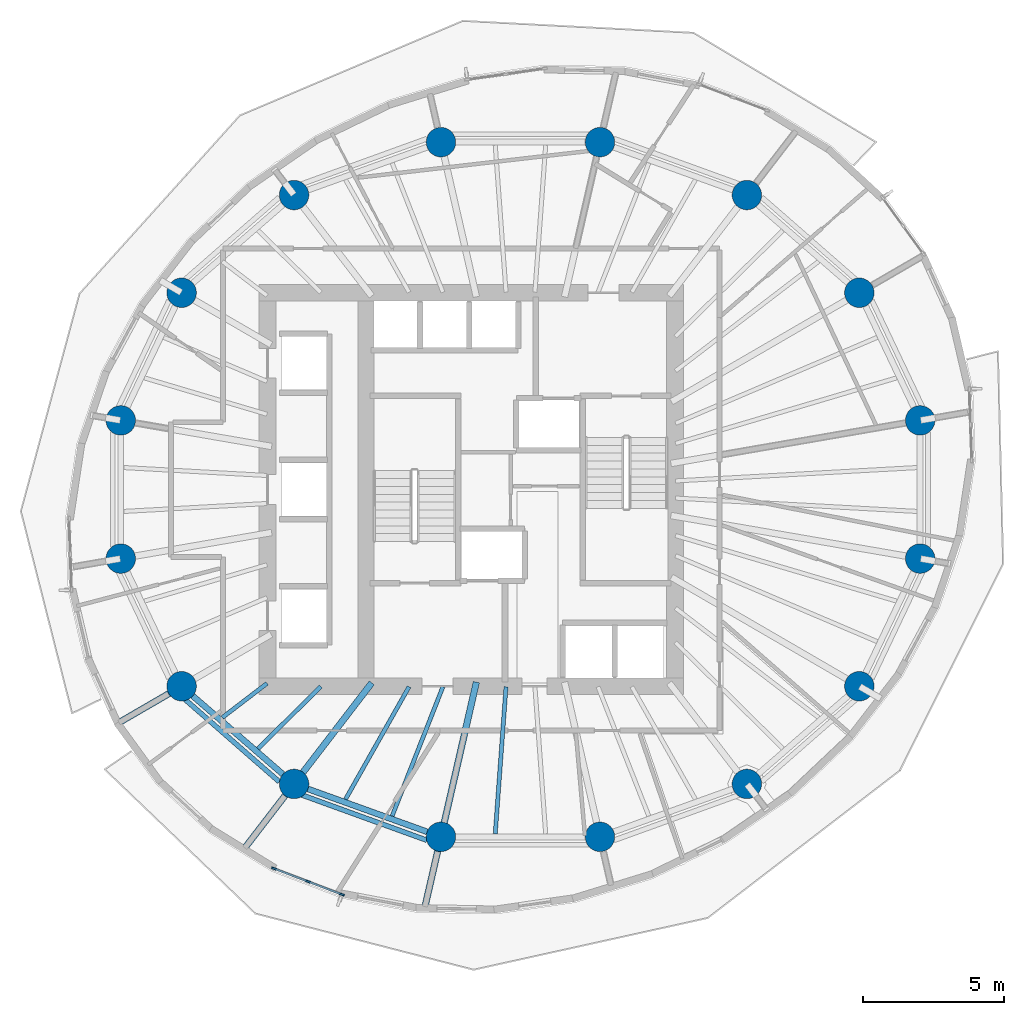
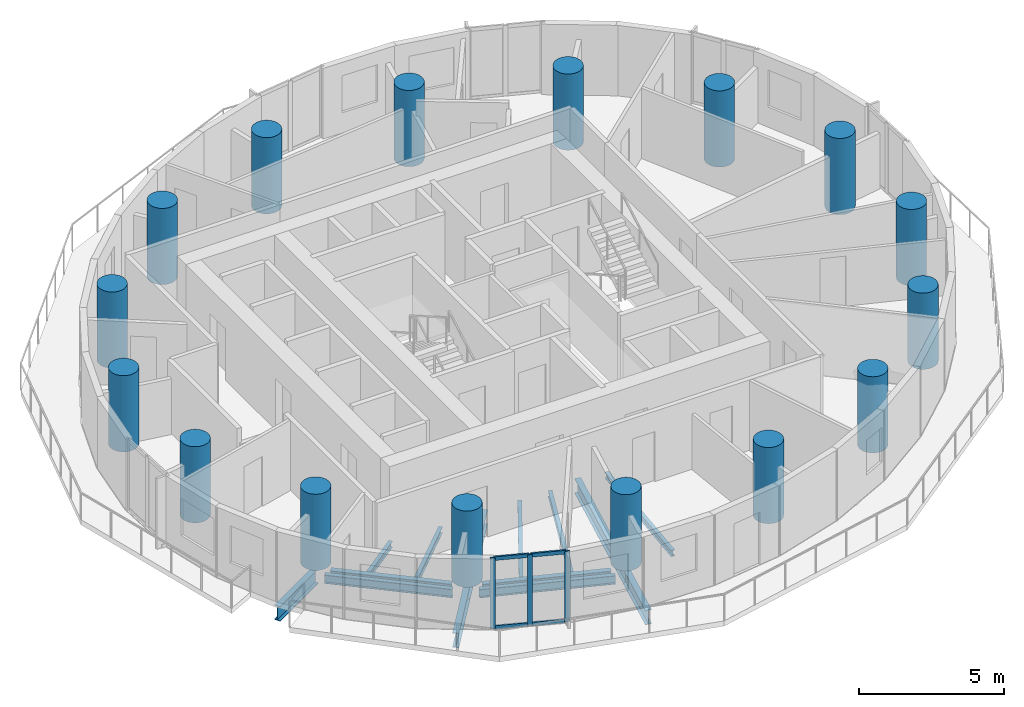
# One storey, part 1 of 14: 16 columns, 14 beams, 7 members, 1 element without a shape of its own.
"""IFC4 building model written with IfcOpenShell, lengths in metres."""

from ifc_helpers import new_model, si_unit, direction, frame, origin, origin_2d, place, context, subcontext, project, spatial, rectangle, circle, i_section, extrude, material, material_profile, profile_set, type_object, element, aggregate, save


model = new_model("IFC4")

# Units and contexts
model_context = context("Model", 3, precision=1e-05, world=origin(), true_north=direction((0.0, 1.0)))
body_context = subcontext(model_context, "Body", "Model", "MODEL_VIEW")
ifc_project = project(units=[si_unit("LENGTHUNIT", "METRE"), si_unit("AREAUNIT", "SQUARE_METRE"), si_unit("VOLUMEUNIT", "CUBIC_METRE"), si_unit("PLANEANGLEUNIT", "RADIAN"), si_unit("MASSUNIT", "GRAM", prefix="KILO")], contexts=[model_context])

# Site, building, storey
site_placement = place(None, origin())
site = spatial("IfcSite", under=ifc_project, at=site_placement, CompositionType="ELEMENT")
building_placement = place(site_placement, origin())
building = spatial("IfcBuilding", under=site, at=building_placement, Name="Veldorim Arch Residences", CompositionType="ELEMENT")
storey_placement = place(building_placement, frame((0.0, 0.0, 129.760009765625)))
storey = spatial("IfcBuildingStorey", under=building, at=storey_placement, Name="L38", CompositionType="ELEMENT", Elevation=129.760009765625)

# Columns
ifc_material_1 = material(Name="Concrete C50/60", Category="concrete")
ifc_material_profile_1 = material_profile(ifc_material_1, circle(Radius=0.52490234375, at=origin_2d()), Name="RC_CIRC_1050")
ifc_profile_set_1 = profile_set([ifc_material_profile_1], Name="Concrete C50/60")
column_type = type_object("IfcColumnType", Name="Structural Column RC_CIRC_1050", PredefinedType="COLUMN", material=ifc_profile_set_1)
for number, where, z_axis, x_axis, name in (
    (1, (46.221435546875, 26.4580078125, 0.0), (0.0, 0.0, 1.0), (1.0, 0.0, 0.0), "L38 TC-Z3-01 perimeter column"),
    (2, (44.056396484375, 31.000244140625, 0.0), (0.0, 0.0, 1.0), (1.0, 0.0, 0.0), "L38 TC-Z3-02 perimeter column"),
    (3, (40.055908203125, 34.4765625, 0.0), (0.0, 0.0, 1.0), (1.0, 0.0, 0.0), "L38 TC-Z3-03 perimeter column"),
    (4, (34.828857421875, 36.35791015625, 0.0), (0.0, 0.0, 1.0), (1.0, 0.0, 0.0), "L38 TC-Z3-04 perimeter column"),
    (5, (29.171142578125, 36.35791015625, 0.0), (0.0, 0.0, 1.0), (1.0, 0.0, 0.0), "L38 TC-Z3-05 perimeter column"),
    (6, (23.944091796875, 34.4765625, 0.0), (0.0, 0.0, 1.0), (1.0, 0.0, 0.0), "L38 TC-Z3-06 perimeter column"),
    (7, (19.943603515625, 31.000244140625, 0.0), (0.0, 0.0, 1.0), (1.0, 0.0, 0.0), "L38 TC-Z3-07 perimeter column"),
    (8, (17.778564453125, 26.4580078125, 0.0), (0.0, 0.0, 1.0), (1.0, 0.0, 0.0), "L38 TC-Z3-08 perimeter column"),
    (9, (17.778564453125, 21.5419921875, 0.0), (0.0, 0.0, 1.0), (1.0, 0.0, 0.0), "L38 TC-Z3-09 perimeter column"),
    (10, (19.943603515625, 16.999755859375, 0.0), (0.0, 0.0, 1.0), (1.0, 0.0, 0.0), "L38 TC-Z3-10 perimeter column"),
    (11, (23.944091796875, 13.5234375, 0.0), (0.0, 0.0, 1.0), (1.0, 0.0, 0.0), "L38 TC-Z3-11 perimeter column"),
    (12, (29.171142578125, 11.64208984375, 0.0), (0.0, 0.0, 1.0), (1.0, 0.0, 0.0), "L38 TC-Z3-12 perimeter column"),
    (13, (34.828857421875, 11.64208984375, 0.0), (0.0, 0.0, 1.0), (1.0, 0.0, 0.0), "L38 TC-Z3-13 perimeter column"),
    (14, (40.055908203125, 13.5234375, 0.0), (0.0, 0.0, 1.0), (1.0, 0.0, 0.0), "L38 TC-Z3-14 perimeter column"),
    (15, (44.056396484375, 16.999755859375, 0.0), (0.0, 0.0, 1.0), (1.0, 0.0, 0.0), "L38 TC-Z3-15 perimeter column"),
    (16, (46.221435546875, 21.5419921875, 0.0), (0.0, 0.0, 1.0), (1.0, 0.0, 0.0), "L38 TC-Z3-16 perimeter column"),
):
    element("IfcColumn", number, at=place(storey_placement, frame(where, z_axis=z_axis, x_axis=x_axis)), inside=storey, type_object=column_type, Name=name, PredefinedType="COLUMN", context=body_context, shape_type="SweptSolid", body=[
        extrude(circle(Radius=0.52490234375, at=origin_2d()), origin(), (0.0, 0.0, 1.0), 3.199951171875),
    ])

# Beams
ifc_material_2 = material(Name="Steel S355", Category="steel")
ifc_material_profile_2 = material_profile(ifc_material_2, i_section(OverallWidth=0.2099609375, OverallDepth=0.53662109375, WebThickness=0.0107421875, FlangeThickness=0.017333984375, at=origin_2d()), Name="UB533x210x101")
ifc_profile_set_2 = profile_set([ifc_material_profile_2], Name="Steel S355")
beam_type_1 = type_object("IfcBeamType", Name="Structural Steel Beam UB533x210x101", PredefinedType="BEAM", material=ifc_profile_set_2)
beam_1_placement = place(storey_placement, frame((20.340087890625, 16.655517578125, -0.50830078125), z_axis=(0.754810789581, -0.655942582802, 0.0), x_axis=(0.655942582802, 0.754810789581, 0.0)))
element("IfcBeam", 17, at=beam_1_placement, inside=storey, type_object=beam_type_1, Name="L38 perimeter ring tie beam 10", PredefinedType="BEAM", context=body_context, shape_type="SweptSolid", body=[
    extrude(i_section(OverallWidth=0.2099609375, OverallDepth=0.53662109375, WebThickness=0.0107421875, FlangeThickness=0.017333984375, at=origin_2d()), origin(), (0.0, 0.0, 1.0), 4.249755859375),
])
beam_2_placement = place(storey_placement, frame((24.438232421875, 13.345703125, -0.50830078125), z_axis=(0.940899155006, -0.338686846673, 0.0), x_axis=(0.338686846673, 0.940899155006, 0.0)))
element("IfcBeam", 18, at=beam_2_placement, inside=storey, type_object=beam_type_1, Name="L38 perimeter ring tie beam 11", PredefinedType="BEAM", context=body_context, shape_type="SweptSolid", body=[
    extrude(i_section(OverallWidth=0.2099609375, OverallDepth=0.53662109375, WebThickness=0.0107421875, FlangeThickness=0.017333984375, at=origin_2d()), origin(), (0.0, 0.0, 1.0), 4.50537109375),
])
ifc_material_3 = material(Name="Steel S355", Category="steel")
ifc_material_profile_3 = material_profile(ifc_material_3, i_section(OverallWidth=0.22900390625, OverallDepth=0.6123046875, WebThickness=0.011962890625, FlangeThickness=0.01953125, at=origin_2d()), Name="UB610x229x125")
ifc_profile_set_3 = profile_set([ifc_material_profile_3], Name="Steel S355")
beam_type_2 = type_object("IfcBeamType", Name="Structural Steel Beam UB610x229x125", PredefinedType="BEAM", material=ifc_profile_set_3)
beam_3_placement = place(storey_placement, frame((19.926513671875, 16.98974609375, -0.546142578125), z_axis=(-0.86480840732, -0.502102000223, 0.0), x_axis=(0.502102000223, -0.86480840732, 0.0)))
element("IfcBeam", 19, at=beam_3_placement, inside=storey, type_object=beam_type_2, Name="L38 radial edge cantilever girder 10", PredefinedType="BEAM", context=body_context, shape_type="SweptSolid", body=[
    extrude(i_section(OverallWidth=0.22900390625, OverallDepth=0.6123046875, WebThickness=0.011962890625, FlangeThickness=0.01953125, at=origin_2d()), origin(), (0.0, 0.0, 1.0), 2.635986328125),
])
beam_4_placement = place(storey_placement, frame((26.708740234375, 17.118896484375, -0.546142578125), z_axis=(-0.609559199361, -0.792740551804, 0.0), x_axis=(0.792740551804, -0.609559199361, 0.0)))
element("IfcBeam", 20, at=beam_4_placement, inside=storey, type_object=beam_type_2, Name="L38 radial floor girder 11", PredefinedType="BEAM", context=body_context, shape_type="SweptSolid", body=[
    extrude(i_section(OverallWidth=0.22900390625, OverallDepth=0.6123046875, WebThickness=0.011962890625, FlangeThickness=0.01953125, at=origin_2d()), origin(), (0.0, 0.0, 1.0), 4.515380859375),
])
beam_5_placement = place(storey_placement, frame((23.931884765625, 13.507568359375, -0.546142578125), z_axis=(-0.609529534144, -0.792763361291, 0.0), x_axis=(0.792763361291, -0.609529534144, 0.0)))
element("IfcBeam", 21, at=beam_5_placement, inside=storey, type_object=beam_type_2, Name="L38 radial edge cantilever girder 11", PredefinedType="BEAM", context=body_context, shape_type="SweptSolid", body=[
    extrude(i_section(OverallWidth=0.22900390625, OverallDepth=0.6123046875, WebThickness=0.011962890625, FlangeThickness=0.01953125, at=origin_2d()), origin(), (0.0, 0.0, 1.0), 2.929931640625),
])
beam_6_placement = place(storey_placement, frame((30.43115234375, 17.146240234375, -0.546142578125), z_axis=(-0.223119342184, -0.974791136164, 0.0), x_axis=(0.974791136164, -0.223119342184, 0.0)))
element("IfcBeam", 22, at=beam_6_placement, inside=storey, type_object=beam_type_2, Name="L38 radial floor girder 12", PredefinedType="BEAM", context=body_context, shape_type="SweptSolid", body=[
    extrude(i_section(OverallWidth=0.22900390625, OverallDepth=0.6123046875, WebThickness=0.011962890625, FlangeThickness=0.01953125, at=origin_2d()), origin(), (0.0, 0.0, 1.0), 5.62646484375),
])
beam_7_placement = place(storey_placement, frame((29.166748046875, 11.62255859375, -0.546142578125), z_axis=(-0.223192924024, -0.974774291139, 0.0), x_axis=(0.974774291139, -0.223192924024, 0.0)))
element("IfcBeam", 23, at=beam_7_placement, inside=storey, type_object=beam_type_2, Name="L38 radial edge cantilever girder 12", PredefinedType="BEAM", context=body_context, shape_type="SweptSolid", body=[
    extrude(i_section(OverallWidth=0.22900390625, OverallDepth=0.6123046875, WebThickness=0.011962890625, FlangeThickness=0.01953125, at=origin_2d()), origin(), (0.0, 0.0, 1.0), 2.611083984375),
])
ifc_material_4 = material(Name="Steel S355", Category="steel")
ifc_material_profile_4 = material_profile(ifc_material_4, i_section(OverallWidth=0.146484375, OverallDepth=0.256103515625, WebThickness=0.00634765625, FlangeThickness=0.010986328125, at=origin_2d()), Name="UB254x146x37")
ifc_profile_set_4 = profile_set([ifc_material_profile_4], Name="Steel S355")
beam_type_3 = type_object("IfcBeamType", Name="Structural Steel Joist UB254x146x37", PredefinedType="JOIST", material=ifc_profile_set_4)
beam_8_placement = place(storey_placement, frame((22.984130859375, 17.10302734375, -0.367919921875), z_axis=(-0.794312925337, -0.607508828448, 0.0), x_axis=(0.607508828448, -0.794312925337, 0.0)))
element("IfcBeam", 24, at=beam_8_placement, inside=storey, type_object=beam_type_3, Name="L38 secondary radial floor joist 10-1", PredefinedType="JOIST", context=body_context, shape_type="SweptSolid", body=[
    extrude(i_section(OverallWidth=0.146484375, OverallDepth=0.256103515625, WebThickness=0.00634765625, FlangeThickness=0.010986328125, at=origin_2d()), origin(), (0.0, 0.0, 1.0), 2.006103515625),
])
beam_9_placement = place(storey_placement, frame((24.894287109375, 16.986083984375, -0.367919921875), z_axis=(-0.711683379532, -0.702500368183, 0.0), x_axis=(0.702500368183, -0.711683379532, 0.0)))
element("IfcBeam", 25, at=beam_9_placement, inside=storey, type_object=beam_type_3, Name="L38 secondary radial floor joist 10-2", PredefinedType="JOIST", context=body_context, shape_type="SweptSolid", body=[
    extrude(i_section(OverallWidth=0.146484375, OverallDepth=0.256103515625, WebThickness=0.00634765625, FlangeThickness=0.010986328125, at=origin_2d()), origin(), (0.0, 0.0, 1.0), 3.13720703125),
])
beam_10_placement = place(storey_placement, frame((28.03662109375, 16.982666015625, -0.367919921875), z_axis=(-0.491815801586, -0.870699269157, 0.0), x_axis=(0.870699269157, -0.491815801586, 0.0)))
element("IfcBeam", 26, at=beam_10_placement, inside=storey, type_object=beam_type_3, Name="L38 secondary radial floor joist 11-1", PredefinedType="JOIST", context=body_context, shape_type="SweptSolid", body=[
    extrude(i_section(OverallWidth=0.146484375, OverallDepth=0.256103515625, WebThickness=0.00634765625, FlangeThickness=0.010986328125, at=origin_2d()), origin(), (0.0, 0.0, 1.0), 4.59814453125),
])
beam_11_placement = place(storey_placement, frame((29.2412109375, 16.9814453125, -0.367919921875), z_axis=(-0.365777738491, -0.930702232739, 0.0), x_axis=(0.930702232739, -0.365777738491, 0.0)))
element("IfcBeam", 27, at=beam_11_placement, inside=storey, type_object=beam_type_3, Name="L38 secondary radial floor joist 11-2", PredefinedType="JOIST", context=body_context, shape_type="SweptSolid", body=[
    extrude(i_section(OverallWidth=0.146484375, OverallDepth=0.256103515625, WebThickness=0.00634765625, FlangeThickness=0.010986328125, at=origin_2d()), origin(), (0.0, 0.0, 1.0), 4.9404296875),
])
beam_12_placement = place(storey_placement, frame((31.48583984375, 16.97998046875, -0.367919921875), z_axis=(-0.073060364166, -0.997327520521, 0.0), x_axis=(0.997327520521, -0.073060364166, 0.0)))
element("IfcBeam", 28, at=beam_12_placement, inside=storey, type_object=beam_type_3, Name="L38 secondary radial floor joist 12-1", PredefinedType="JOIST", context=body_context, shape_type="SweptSolid", body=[
    extrude(i_section(OverallWidth=0.146484375, OverallDepth=0.256103515625, WebThickness=0.00634765625, FlangeThickness=0.010986328125, at=origin_2d()), origin(), (0.0, 0.0, 1.0), 5.242919921875),
])
ifc_material_5 = material(Name="Steel S355", Category="steel")
ifc_material_profile_5 = material_profile(ifc_material_5, i_section(OverallWidth=0.172119140625, OverallDepth=0.35791015625, WebThickness=0.008056640625, FlangeThickness=0.012939453125, at=origin_2d()), Name="UB356x171x57")
ifc_profile_set_5 = profile_set([ifc_material_profile_5], Name="Steel S355")
beam_type_4 = type_object("IfcBeamType", Name="Structural Steel Spandrel UB356x171x57", PredefinedType="SPANDREL", material=ifc_profile_set_5)
beam_13_placement = place(storey_placement, frame((20.0419921875, 16.55078125, -0.43896484375), z_axis=(0.753014748982, -0.658003638148, 0.0), x_axis=(0.658003638148, 0.753014748982, 0.0)))
element("IfcBeam", 29, at=beam_13_placement, inside=storey, type_object=beam_type_4, Name="L38 perimeter chord spandrel beam 10", PredefinedType="SPANDREL", context=body_context, shape_type="SweptSolid", body=[
    extrude(i_section(OverallWidth=0.172119140625, OverallDepth=0.35791015625, WebThickness=0.008056640625, FlangeThickness=0.012939453125, at=origin_2d()), origin(), (0.0, 0.0, 1.0), 4.486572265625),
])
beam_14_placement = place(storey_placement, frame((24.20263671875, 13.13720703125, -0.43896484375), z_axis=(0.940212553113, -0.340588248429, 0.0), x_axis=(0.340588248429, 0.940212553113, 0.0)))
element("IfcBeam", 30, at=beam_14_placement, inside=storey, type_object=beam_type_4, Name="L38 perimeter chord spandrel beam 11", PredefinedType="SPANDREL", context=body_context, shape_type="SweptSolid", body=[
    extrude(i_section(OverallWidth=0.172119140625, OverallDepth=0.35791015625, WebThickness=0.008056640625, FlangeThickness=0.012939453125, at=origin_2d()), origin(), (0.0, 0.0, 1.0), 4.75390625),
])

# Curtain wall, members
ifc_material_6 = material(Name="Aluminium", Category="aluminium")
curtain_wall_type = type_object("IfcCurtainWallType", Name="Zone 3 High-Wind Unitised Curtain Wall", PredefinedType="NOTDEFINED", material=ifc_material_6)
curtain_wall_placement = place(storey_placement, origin())
curtain_wall = element("IfcCurtainWall", 31, at=curtain_wall_placement, inside=storey, type_object=curtain_wall_type, Name="L38 unitised curtain wall bay 22", PredefinedType="NOTDEFINED")
ifc_material_7 = material(Name="Aluminium", Category="aluminium")
ifc_material_profile_6 = material_profile(ifc_material_7, rectangle(XDim=0.070068359375, YDim=0.179931640625, at=origin_2d()), Name="ALU_MUL_70x180")
ifc_profile_set_6 = profile_set([ifc_material_profile_6], Name="Aluminium")
member_type_1 = type_object("IfcMemberType", Name="Zone 3 High-Wind Unitised Curtain Wall Mullion 70x180", PredefinedType="MULLION", material=ifc_profile_set_6)
member_1_placement = place(storey_placement, frame((25.647705078125, 9.590576171875, 0.0), z_axis=(0.0, 0.0, 1.0), x_axis=(-0.356987085335, -0.934109319568, 0.0)))
member_1 = element("IfcMember", 32, at=member_1_placement, type_object=member_type_1, Name="CW-Z3 mullion 1", PredefinedType="MULLION", context=body_context, shape_type="SweptSolid", body=[
    extrude(rectangle(XDim=0.070068359375, YDim=0.179931640625, at=origin_2d()), origin(), (0.0, 0.0, 1.0), 2.9599609375),
])
member_2_placement = place(storey_placement, frame((24.43701171875, 10.05322265625, 0.0), z_axis=(0.0, 0.0, 1.0), x_axis=(-0.356987085335, -0.934109319568, 0.0)))
member_2 = element("IfcMember", 33, at=member_2_placement, type_object=member_type_1, Name="CW-Z3 mullion 2", PredefinedType="MULLION", context=body_context, shape_type="SweptSolid", body=[
    extrude(rectangle(XDim=0.070068359375, YDim=0.179931640625, at=origin_2d()), origin(), (0.0, 0.0, 1.0), 2.9599609375),
])
member_3_placement = place(storey_placement, frame((23.2265625, 10.515869140625, 0.0), z_axis=(0.0, 0.0, 1.0), x_axis=(-0.356987085335, -0.934109319568, 0.0)))
member_3 = element("IfcMember", 34, at=member_3_placement, type_object=member_type_1, Name="CW-Z3 mullion 3", PredefinedType="MULLION", context=body_context, shape_type="SweptSolid", body=[
    extrude(rectangle(XDim=0.070068359375, YDim=0.179931640625, at=origin_2d()), origin(), (0.0, 0.0, 1.0), 2.9599609375),
])
ifc_material_8 = material(Name="Aluminium", Category="aluminium")
ifc_material_profile_7 = material_profile(ifc_material_8, rectangle(XDim=0.070068359375, YDim=0.155029296875, at=origin_2d()), Name="ALU_TRN_70x155")
ifc_profile_set_7 = profile_set([ifc_material_profile_7], Name="Aluminium")
member_type_2 = type_object("IfcMemberType", Name="Zone 3 High-Wind Unitised Curtain Wall Transom 70x155", PredefinedType="USERDEFINED", material=ifc_profile_set_7)
member_4_placement = place(storey_placement, frame((25.614990234375, 9.60302734375, 0.034912109375), z_axis=(-0.934092855841, 0.357030162124, 0.0), x_axis=(-0.357030162124, -0.934092855841, 0.0)))
member_4 = element("IfcMember", 35, at=member_4_placement, type_object=member_type_2, Name="CW-Z3 transom 1.1", ObjectType="TRANSOM", PredefinedType="USERDEFINED", context=body_context, shape_type="SweptSolid", body=[
    extrude(rectangle(XDim=0.070068359375, YDim=0.155029296875, at=origin_2d()), origin(), (0.0, 0.0, 1.0), 1.22607421875),
])
member_5_placement = place(storey_placement, frame((25.614990234375, 9.60302734375, 2.925048828125), z_axis=(-0.934092855841, 0.357030162124, 0.0), x_axis=(-0.357030162124, -0.934092855841, 0.0)))
member_5 = element("IfcMember", 36, at=member_5_placement, type_object=member_type_2, Name="CW-Z3 transom 1.2", ObjectType="TRANSOM", PredefinedType="USERDEFINED", context=body_context, shape_type="SweptSolid", body=[
    extrude(rectangle(XDim=0.070068359375, YDim=0.155029296875, at=origin_2d()), origin(), (0.0, 0.0, 1.0), 1.22607421875),
])
member_6_placement = place(storey_placement, frame((24.404296875, 10.065673828125, 0.034912109375), z_axis=(-0.934067466256, 0.357096581449, 0.0), x_axis=(-0.357096581449, -0.934067466256, 0.0)))
member_6 = element("IfcMember", 37, at=member_6_placement, type_object=member_type_2, Name="CW-Z3 transom 2.1", ObjectType="TRANSOM", PredefinedType="USERDEFINED", context=body_context, shape_type="SweptSolid", body=[
    extrude(rectangle(XDim=0.070068359375, YDim=0.155029296875, at=origin_2d()), origin(), (0.0, 0.0, 1.0), 1.225830078125),
])
member_7_placement = place(storey_placement, frame((24.404296875, 10.065673828125, 2.925048828125), z_axis=(-0.934067466256, 0.357096581449, 0.0), x_axis=(-0.357096581449, -0.934067466256, 0.0)))
member_7 = element("IfcMember", 38, at=member_7_placement, type_object=member_type_2, Name="CW-Z3 transom 2.2", ObjectType="TRANSOM", PredefinedType="USERDEFINED", context=body_context, shape_type="SweptSolid", body=[
    extrude(rectangle(XDim=0.070068359375, YDim=0.155029296875, at=origin_2d()), origin(), (0.0, 0.0, 1.0), 1.225830078125),
])
aggregate(curtain_wall, [member_1, member_2, member_3, member_4, member_5, member_6, member_7])

save(model, "model.ifc")
